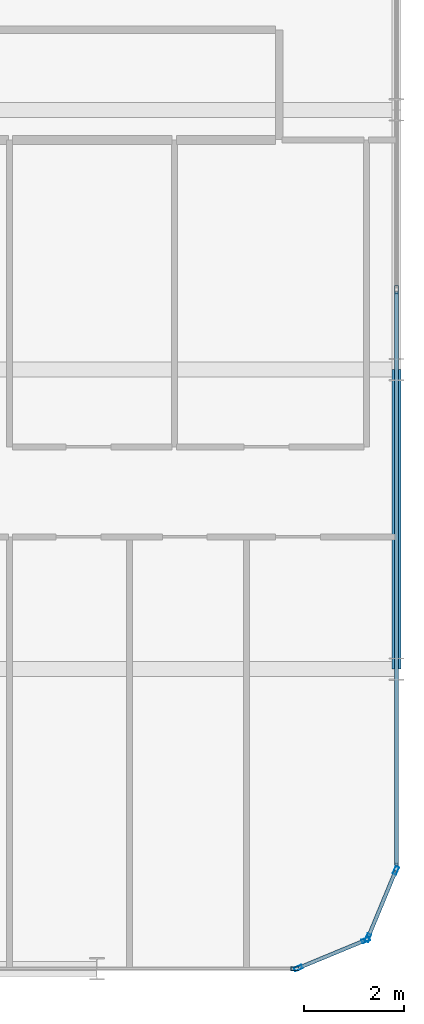
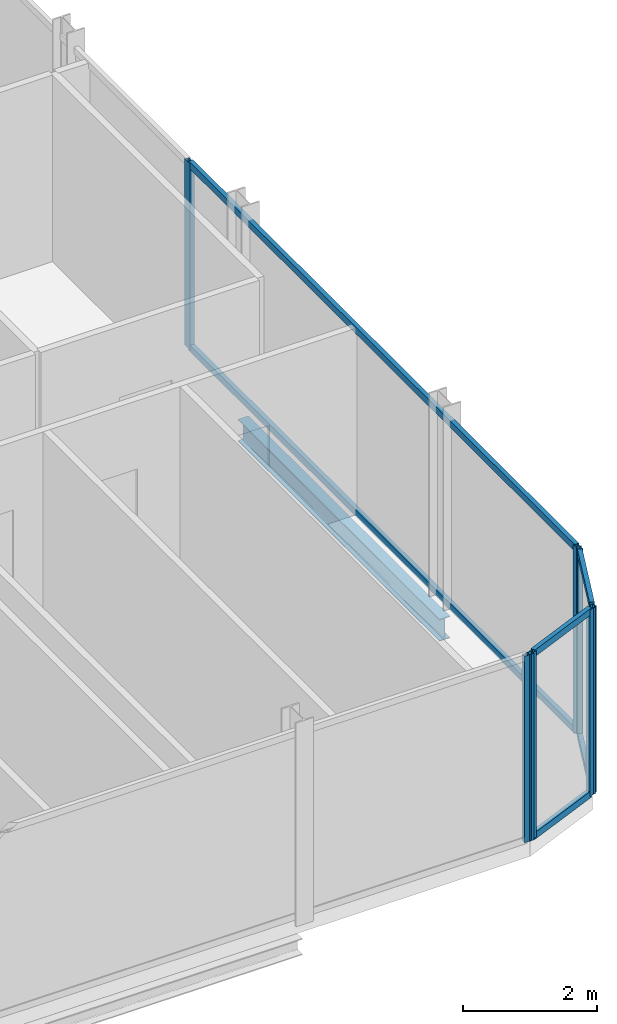
# One storey, part 12 of 29: 13 members, 1 beam, 4 elements without a shape of their own.
"""IFC4 building model written with IfcOpenShell, lengths in metres."""

from ifc_helpers import new_model, si_unit, direction, frame, origin, origin_2d, place, context, subcontext, project, spatial, hollow_rectangle, i_section, extrude, material, layer, layer_set, material_profile, profile_set, type_object, element, aggregate, save


model = new_model("IFC4")

# Units and contexts
model_context = context("Model", 3, precision=1e-05, world=origin(), true_north=direction((0.0, 1.0)))
body_context = subcontext(model_context, "Body", "Model", "MODEL_VIEW")
ifc_project = project(units=[si_unit("LENGTHUNIT", "METRE"), si_unit("AREAUNIT", "SQUARE_METRE"), si_unit("VOLUMEUNIT", "CUBIC_METRE"), si_unit("PLANEANGLEUNIT", "RADIAN"), si_unit("MASSUNIT", "GRAM", prefix="KILO")], contexts=[model_context])

# Site, building, storey
site_placement = place(None, origin())
site = spatial("IfcSite", under=ifc_project, at=site_placement, CompositionType="ELEMENT")
building_placement = place(site_placement, origin())
building = spatial("IfcBuilding", under=site, at=building_placement, Name="Keshet Zoharim Tower", CompositionType="ELEMENT")
storey_placement = place(building_placement, frame((0.0, 0.0, 199.5)))
storey = spatial("IfcBuildingStorey", under=building, at=storey_placement, Name="L49", CompositionType="ELEMENT", Elevation=199.5)

# Beam
ifc_material_1 = material(Name="Steel S355", Category="steel")
ifc_material_profile_1 = material_profile(ifc_material_1, i_section(OverallWidth=0.179931640625, OverallDepth=0.39990234375, WebThickness=0.008544921875, FlangeThickness=0.013427734375, FilletRadius=0.02099609375, at=origin_2d()), Name="IPE400")
ifc_profile_set_1 = profile_set([ifc_material_profile_1], Name="Steel S355")
beam_type = type_object("IfcBeamType", Name="BM-PRI-IP400", PredefinedType="BEAM", material=ifc_profile_set_1)
beam_placement = place(storey_placement, frame((57.0, 6.699951171875, -0.510009765625), z_axis=(0.0, 1.0, 0.0), x_axis=(-1.0, 0.0, 0.0)))
element("IfcBeam", 1, at=beam_placement, inside=storey, type_object=beam_type, Name="L49 Primary Girder Y-013", PredefinedType="BEAM", context=body_context, shape_type="SweptSolid", body=[
    extrude(i_section(OverallWidth=0.179931640625, OverallDepth=0.39990234375, WebThickness=0.008544921875, FlangeThickness=0.013427734375, FilletRadius=0.02099609375, at=origin_2d()), origin(), (0.0, 0.0, 1.0), 6.0),
])

# Curtain wall, members
ifc_material_2 = material(Name="Aluminium 6063-T6", Category="aluminium")
ifc_layer = layer(ifc_material_2, 0.139892578125)
ifc_layer_set = layer_set([ifc_layer], Name="Aluminium 6063-T6")
curtain_wall_type = type_object("IfcCurtainWallType", Name="CW-SYS-05", PredefinedType="NOTDEFINED", material=ifc_layer_set)
curtain_wall_1_placement = place(storey_placement, origin())
curtain_wall_1 = element("IfcCurtainWall", 2, at=curtain_wall_1_placement, inside=storey, type_object=curtain_wall_type, Name="L49 Unitised Curtain Wall 03", PredefinedType="NOTDEFINED")
ifc_material_profile_2 = material_profile(ifc_material_2, hollow_rectangle(XDim=0.074951171875, YDim=0.159912109375, WallThickness=0.00390625, at=origin_2d()), Name="MUL-75x160")
ifc_profile_set_2 = profile_set([ifc_material_profile_2], Name="Aluminium 6063-T6")
member_type_1 = type_object("IfcMemberType", Name="CWM-M15", PredefinedType="MULLION", material=ifc_profile_set_2)
member_1_placement = place(storey_placement, frame((57.0, 14.300048828125, 0.0), z_axis=(0.0, 0.0, 1.0), x_axis=(1.0, 0.0, 0.0)))
member_1 = element("IfcMember", 3, at=member_1_placement, type_object=member_type_1, Name="CW-05 mullion 2", PredefinedType="MULLION", context=body_context, shape_type="SweptSolid", body=[
    extrude(hollow_rectangle(XDim=0.074951171875, YDim=0.159912109375, WallThickness=0.00390625, at=origin_2d()), origin(), (0.0, 0.0, 1.0), 3.389892578125),
])
member_2_placement = place(storey_placement, frame((57.0, 2.735107421875, 0.0), z_axis=(0.0, 0.0, 1.0), x_axis=(1.0, 0.0, 0.0)))
member_2 = element("IfcMember", 4, at=member_2_placement, type_object=member_type_1, Name="CW-05 mullion 3", PredefinedType="MULLION", context=body_context, shape_type="SweptSolid", body=[
    extrude(hollow_rectangle(XDim=0.074951171875, YDim=0.159912109375, WallThickness=0.00390625, at=origin_2d()), origin(), (0.0, 0.0, 1.0), 3.389892578125),
])

curtain_wall_2_placement = place(storey_placement, origin())
curtain_wall_2 = element("IfcCurtainWall", 5, at=curtain_wall_2_placement, inside=storey, type_object=curtain_wall_type, Name="L49 Unitised Curtain Wall 04", PredefinedType="NOTDEFINED")
member_3_placement = place(storey_placement, frame((56.986572265625, 2.667724609375, 0.0), z_axis=(0.0, 0.0, 1.0), x_axis=(0.92380975372, -0.382851849847, 0.0)))
member_3 = element("IfcMember", 6, at=member_3_placement, type_object=member_type_1, Name="CW-05 mullion 1", PredefinedType="MULLION", context=body_context, shape_type="SweptSolid", body=[
    extrude(hollow_rectangle(XDim=0.074951171875, YDim=0.159912109375, WallThickness=0.00390625, at=origin_2d()), origin(), (0.0, 0.0, 1.0), 3.389892578125),
])
member_4_placement = place(storey_placement, frame((56.427490234375, 1.318359375, 0.0), z_axis=(0.0, 0.0, 1.0), x_axis=(0.92380975372, -0.382851849847, 0.0)))
member_4 = element("IfcMember", 7, at=member_4_placement, type_object=member_type_1, Name="CW-05 mullion 2", PredefinedType="MULLION", context=body_context, shape_type="SweptSolid", body=[
    extrude(hollow_rectangle(XDim=0.074951171875, YDim=0.159912109375, WallThickness=0.00390625, at=origin_2d()), origin(), (0.0, 0.0, 1.0), 3.389892578125),
])

curtain_wall_3_placement = place(storey_placement, origin())
curtain_wall_3 = element("IfcCurtainWall", 8, at=curtain_wall_3_placement, inside=storey, type_object=curtain_wall_type, Name="L49 Unitised Curtain Wall 05", PredefinedType="NOTDEFINED")
member_5_placement = place(storey_placement, frame((56.381591796875, 1.272705078125, 0.0), z_axis=(0.0, 0.0, 1.0), x_axis=(0.382851849847, -0.92380975372, 0.0)))
member_5 = element("IfcMember", 9, at=member_5_placement, type_object=member_type_1, Name="CW-05 mullion 1", PredefinedType="MULLION", context=body_context, shape_type="SweptSolid", body=[
    extrude(hollow_rectangle(XDim=0.074951171875, YDim=0.159912109375, WallThickness=0.00390625, at=origin_2d()), origin(), (0.0, 0.0, 1.0), 3.389892578125),
])
member_6_placement = place(storey_placement, frame((55.0322265625, 0.71337890625, 0.0), z_axis=(0.0, 0.0, 1.0), x_axis=(0.382851849847, -0.92380975372, 0.0)))
member_6 = element("IfcMember", 10, at=member_6_placement, type_object=member_type_1, Name="CW-05 mullion 2", PredefinedType="MULLION", context=body_context, shape_type="SweptSolid", body=[
    extrude(hollow_rectangle(XDim=0.074951171875, YDim=0.159912109375, WallThickness=0.00390625, at=origin_2d()), origin(), (0.0, 0.0, 1.0), 3.389892578125),
])

# Curtain wall, member
curtain_wall_4_placement = place(storey_placement, origin())
curtain_wall_4 = element("IfcCurtainWall", 11, at=curtain_wall_4_placement, inside=storey, type_object=curtain_wall_type, Name="L49 Unitised Curtain Wall 06", PredefinedType="NOTDEFINED")
member_7_placement = place(storey_placement, frame((54.965087890625, 0.699951171875, 0.0), z_axis=(0.0, 0.0, 1.0), x_axis=(0.0, -1.0, 0.0)))
member_7 = element("IfcMember", 12, at=member_7_placement, type_object=member_type_1, Name="CW-05 mullion 1", PredefinedType="MULLION", context=body_context, shape_type="SweptSolid", body=[
    extrude(hollow_rectangle(XDim=0.074951171875, YDim=0.159912109375, WallThickness=0.00390625, at=origin_2d()), origin(), (0.0, 0.0, 1.0), 3.389892578125),
])
aggregate(curtain_wall_4, [member_7])

# Member
ifc_material_profile_3 = material_profile(ifc_material_2, hollow_rectangle(XDim=0.074951171875, YDim=0.1201171875, WallThickness=0.00390625, at=origin_2d()), Name="TRN-75x120")
ifc_profile_set_3 = profile_set([ifc_material_profile_3], Name="Aluminium 6063-T6")
member_type_2 = type_object("IfcMemberType", Name="CWT-T12", PredefinedType="USERDEFINED", material=ifc_profile_set_3)
member_8_placement = place(storey_placement, frame((57.0, 14.264892578125, 0.034912109375), z_axis=(0.0, -1.0, 0.0), x_axis=(1.0, 0.0, 0.0)))
member_8 = element("IfcMember", 13, at=member_8_placement, type_object=member_type_2, Name="CW-05 transom 2.1", ObjectType="TRANSOM", PredefinedType="USERDEFINED", context=body_context, shape_type="SweptSolid", body=[
    extrude(hollow_rectangle(XDim=0.074951171875, YDim=0.1201171875, WallThickness=0.00390625, at=origin_2d()), origin(), (0.0, 0.0, 1.0), 11.494873046875),
])

member_9_placement = place(storey_placement, frame((57.0, 14.264892578125, 3.35498046875), z_axis=(0.0, -1.0, 0.0), x_axis=(1.0, 0.0, 0.0)))
member_9 = element("IfcMember", 14, at=member_9_placement, type_object=member_type_2, Name="CW-05 transom 2.2", ObjectType="TRANSOM", PredefinedType="USERDEFINED", context=body_context, shape_type="SweptSolid", body=[
    extrude(hollow_rectangle(XDim=0.074951171875, YDim=0.1201171875, WallThickness=0.00390625, at=origin_2d()), origin(), (0.0, 0.0, 1.0), 11.494873046875),
])

aggregate(curtain_wall_1, [member_1, member_2, member_8, member_9])

member_10_placement = place(storey_placement, frame((56.97314453125, 2.63525390625, 0.034912109375), z_axis=(-0.382744609247, -0.923854189844, 0.0), x_axis=(0.923854189844, -0.382744609247, 0.0)))
member_10 = element("IfcMember", 15, at=member_10_placement, type_object=member_type_2, Name="CW-05 transom 1.1", ObjectType="TRANSOM", PredefinedType="USERDEFINED", context=body_context, shape_type="SweptSolid", body=[
    extrude(hollow_rectangle(XDim=0.074951171875, YDim=0.1201171875, WallThickness=0.00390625, at=origin_2d()), origin(), (0.0, 0.0, 1.0), 1.390625),
])

member_11_placement = place(storey_placement, frame((56.97314453125, 2.63525390625, 3.35498046875), z_axis=(-0.382744609247, -0.923854189844, 0.0), x_axis=(0.923854189844, -0.382744609247, 0.0)))
member_11 = element("IfcMember", 16, at=member_11_placement, type_object=member_type_2, Name="CW-05 transom 1.2", ObjectType="TRANSOM", PredefinedType="USERDEFINED", context=body_context, shape_type="SweptSolid", body=[
    extrude(hollow_rectangle(XDim=0.074951171875, YDim=0.1201171875, WallThickness=0.00390625, at=origin_2d()), origin(), (0.0, 0.0, 1.0), 1.390625),
])

aggregate(curtain_wall_2, [member_3, member_4, member_10, member_11])

member_12_placement = place(storey_placement, frame((56.349365234375, 1.25927734375, 0.034912109375), z_axis=(-0.92379209995, -0.382894445076, 0.0), x_axis=(0.382894445076, -0.92379209995, 0.0)))
member_12 = element("IfcMember", 17, at=member_12_placement, type_object=member_type_2, Name="CW-05 transom 1.1", ObjectType="TRANSOM", PredefinedType="USERDEFINED", context=body_context, shape_type="SweptSolid", body=[
    extrude(hollow_rectangle(XDim=0.074951171875, YDim=0.1201171875, WallThickness=0.00390625, at=origin_2d()), origin(), (0.0, 0.0, 1.0), 1.390625),
])

member_13_placement = place(storey_placement, frame((56.349365234375, 1.25927734375, 3.35498046875), z_axis=(-0.92379209995, -0.382894445076, 0.0), x_axis=(0.382894445076, -0.92379209995, 0.0)))
member_13 = element("IfcMember", 18, at=member_13_placement, type_object=member_type_2, Name="CW-05 transom 1.2", ObjectType="TRANSOM", PredefinedType="USERDEFINED", context=body_context, shape_type="SweptSolid", body=[
    extrude(hollow_rectangle(XDim=0.074951171875, YDim=0.1201171875, WallThickness=0.00390625, at=origin_2d()), origin(), (0.0, 0.0, 1.0), 1.390625),
])

aggregate(curtain_wall_3, [member_5, member_6, member_12, member_13])

save(model, "model.ifc")
